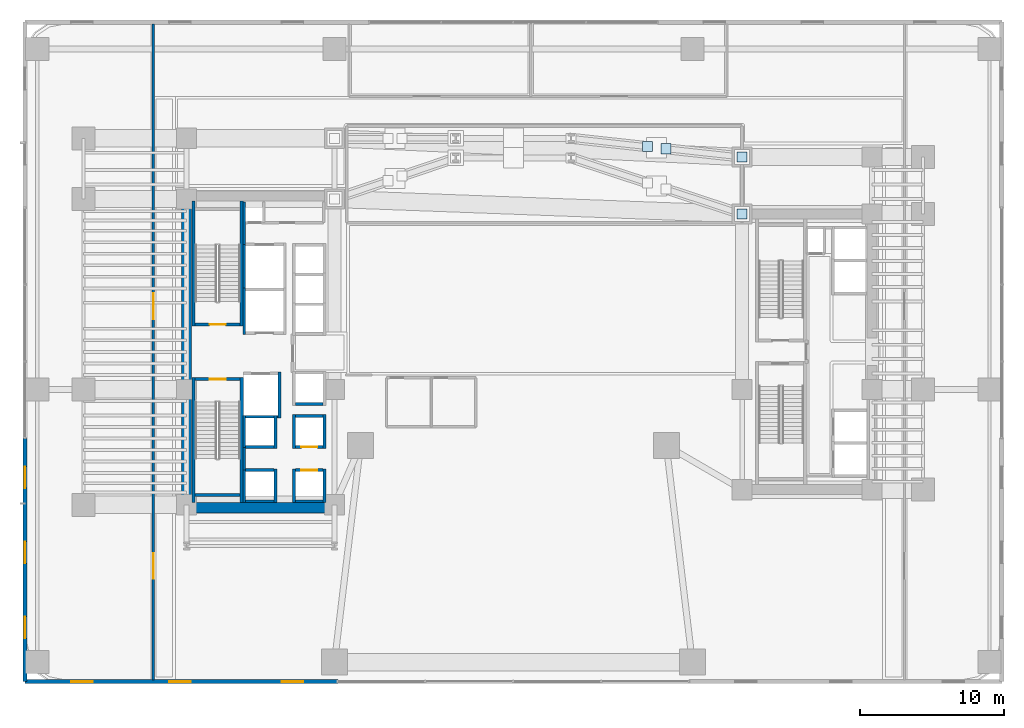
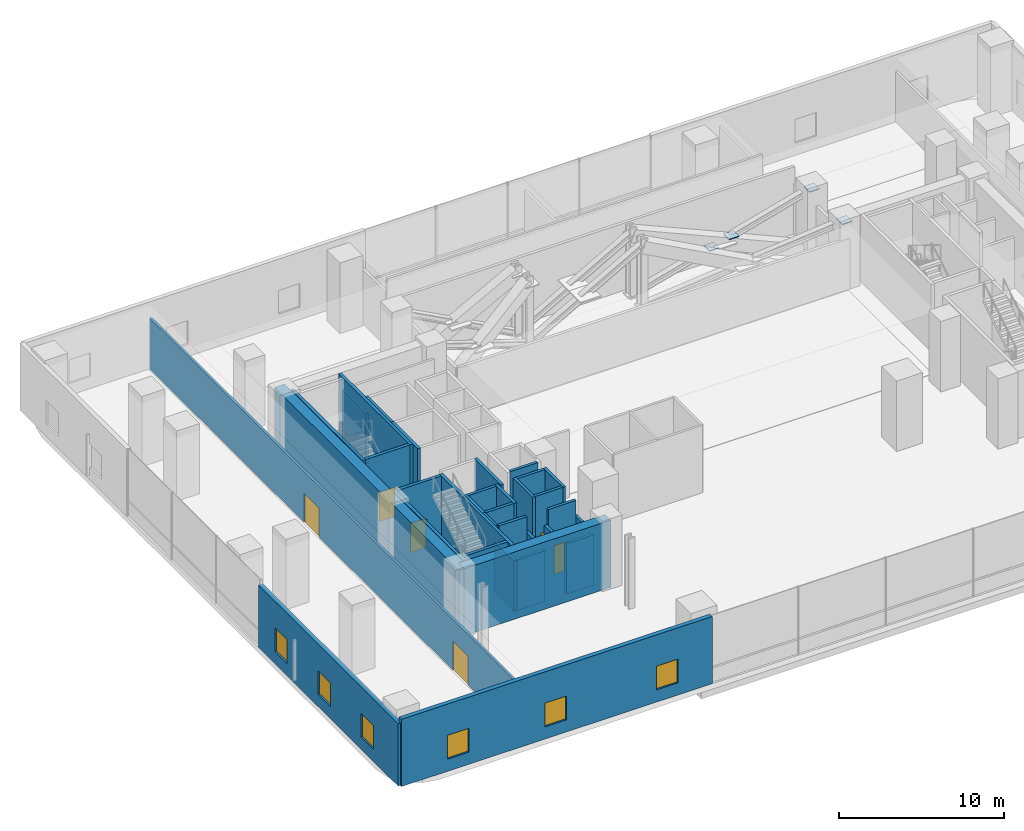
# One storey, part 26 of 41: 34 walls, 6 doors, 6 windows, 4 plates, 12 openings.
"""IFC4 building model written with IfcOpenShell, lengths in metres."""

from ifc_helpers import new_model, si_unit, direction, frame, frame_2d, origin, origin_2d, place, context, subcontext, project, spatial, rectangle, extrude, source, transform, mapped, material, layer, layer_set, type_object, element, fill, save


model = new_model("IFC4")

# Units and contexts
model_context = context("Model", 3, precision=1e-05, world=origin(), true_north=direction((0.0, 1.0)))
body_context = subcontext(model_context, "Body", "Model", "MODEL_VIEW")
ifc_project = project(units=[si_unit("LENGTHUNIT", "METRE"), si_unit("AREAUNIT", "SQUARE_METRE"), si_unit("VOLUMEUNIT", "CUBIC_METRE"), si_unit("PLANEANGLEUNIT", "RADIAN"), si_unit("MASSUNIT", "GRAM", prefix="KILO")], contexts=[model_context])

# Site, building, storey
site_placement = place(None, origin())
site = spatial("IfcSite", under=ifc_project, at=site_placement, CompositionType="ELEMENT")
building_placement = place(site_placement, origin())
building = spatial("IfcBuilding", under=site, at=building_placement, Name="Valdorenza Pilgrim Sanctuary Tower", CompositionType="ELEMENT")
storey_placement = place(building_placement, frame((0.0, 0.0, 20.800048828125)))
storey = spatial("IfcBuildingStorey", under=building, at=storey_placement, Name="L04", CompositionType="ELEMENT", Elevation=20.800048828125)

# Plates
ifc_material_1 = material(Name="Steel ASTM A572 Grade 42", Category="steel")
ifc_layer_1 = layer(ifc_material_1, 0.06005859375, Name="Steel ASTM A572 Grade 42")
ifc_layer_set_1 = layer_set([ifc_layer_1], Name="Steel ASTM A572 Grade 42")
plate_type = type_object("IfcPlateType", Name="PLT-CAP-60", PredefinedType="SHEET", material=ifc_layer_set_1)
shared_shape = source(origin(), body_context, "Body", "SweptSolid", [
    extrude(rectangle(XDim=0.699951171875, YDim=0.699951171875, at=origin_2d()), origin(), (0.0, 0.0, 1.0), 0.06005859375),
])
for number, where, z_axis, x_axis, name in (
    (1, (15.85009765625, 9.550048828125, 4.619873046875), (0.0, 0.0, 1.0), (1.0, 0.0, 0.0), "L04 Transfer Counter-Diagonal E1 Lower Segment End Connection Plate 1"),
    (2, (15.85009765625, 13.5, 4.619873046875), (0.0, 0.0, 1.0), (1.0, 0.0, 0.0), "L04 Transfer Counter-Diagonal E2 Lower Segment End Connection Plate 1"),
    (3, (10.569580078125, 14.079345703125, 2.614501953125), (0.0, 0.0, 1.0), (1.0, 0.0, 0.0), "L04 Transfer Counter-Diagonal E2 Lower Segment End Connection Plate 2"),
    (4, (9.280517578125, 14.220703125, 2.125244140625), (0.0, 0.0, 1.0), (1.0, 0.0, 0.0), "L04 Transfer Counter-Diagonal E2 Upper Segment End Connection Plate 1"),
):
    element("IfcPlate", number, at=place(storey_placement, frame(where, z_axis=z_axis, x_axis=x_axis)), inside=storey, type_object=plate_type, Name=name, PredefinedType="SHEET", context=body_context, shape_type="MappedRepresentation", body=[
        mapped(shared_shape, transform((0.0, 0.0, 0.0), x_axis=(1.0, 0.0, 0.0), y_axis=(0.0, 1.0, 0.0), z_axis=(0.0, 0.0, 1.0), scale=1.0)),
    ])

# Walls
ifc_material_2 = material(Name="Acoustic twin-stud gypsum partition", Category="gypsum")
ifc_layer_2 = layer(ifc_material_2, 0.159912109375, Name="Acoustic twin-stud gypsum partition")
ifc_layer_set_2 = layer_set([ifc_layer_2], Name="Acoustic twin-stud gypsum partition")
wall_type_1 = type_object("IfcWallType", Name="WAL-COR-160", PredefinedType="PARTITIONING", material=ifc_layer_set_2)
wall_1_placement = place(storey_placement, frame((-18.64990234375, 7.449951171875, 0.0), z_axis=(0.0, 0.0, 1.0), x_axis=(0.0, 1.0, 0.0)))
element("IfcWall", 5, at=wall_1_placement, inside=storey, type_object=wall_type_1, Name="L04 Core A North Service West Wall", PredefinedType="PARTITIONING", context=body_context, shape_type="SweptSolid", body=[
    extrude(rectangle(XDim=2.929931640625, YDim=0.159912109375, at=frame_2d((1.46484375, 0.0))), origin(), (0.0, 0.0, 1.0), 3.744873046875),
])
wall_2_placement = place(storey_placement, frame((-18.64990234375, -8.179931640625, 0.0), z_axis=(0.0, 0.0, 1.0), x_axis=(0.0, 1.0, 0.0)))
element("IfcWall", 6, at=wall_2_placement, inside=storey, type_object=wall_type_1, Name="L04 Core A South Lift Hall West Wall", PredefinedType="PARTITIONING", context=body_context, shape_type="SweptSolid", body=[
    extrude(rectangle(XDim=1.559814453125, YDim=0.159912109375, at=frame_2d((0.77978515625, 0.0))), origin(), (0.0, 0.0, 1.0), 4.9599609375),
])

# Wall, openings, doors
wall_3_placement = place(storey_placement, frame((-24.949951171875, -22.739990234375, 0.0), z_axis=(0.0, 0.0, 1.0), x_axis=(0.0, 1.0, 0.0)))
wall_3 = element("IfcWall", 7, at=wall_3_placement, inside=storey, type_object=wall_type_1, Name="L04 L04 West Hall Wall", PredefinedType="PARTITIONING", context=body_context, shape_type="SweptSolid", body=[
    extrude(rectangle(XDim=45.47998046875, YDim=0.159912109375, at=frame_2d((22.739990234375, 0.0))), origin(), (0.0, 0.0, 1.0), 3.744873046875),
])
opening_1_placement = place(wall_3_placement, frame((7.0, 0.0, 0.0)))
opening_1 = element("IfcOpeningElement", 8, at=opening_1_placement, cuts=wall_3, Name="Opening DR-HL1", PredefinedType="OPENING", context=body_context, shape_type="SweptSolid", body=[
    extrude(rectangle(XDim=1.800048828125, YDim=2.14990234375, at=frame_2d((0.89990234375, 1.074951171875))), frame((0.0, 0.0947265625, 0.0), z_axis=(0.0, -1.0, 0.0), x_axis=(1.0, 0.0, 0.0)), (0.0, 0.0, 1.0), 0.189697265625),
])
opening_2_placement = place(wall_3_placement, frame((25.0, 0.0, 0.0)))
opening_2 = element("IfcOpeningElement", 9, at=opening_2_placement, cuts=wall_3, Name="Opening DR-HL1", PredefinedType="OPENING", context=body_context, shape_type="SweptSolid", body=[
    extrude(rectangle(XDim=1.800048828125, YDim=2.14990234375, at=frame_2d((0.89990234375, 1.074951171875))), frame((0.0, 0.0947265625, 0.0), z_axis=(0.0, -1.0, 0.0), x_axis=(1.0, 0.0, 0.0)), (0.0, 0.0, 1.0), 0.189697265625),
])
ifc_material_3 = material(Name="Acoustic oak and vision-glass double door", Category="glass")
door_type_1 = type_object("IfcDoorType", Name="DR-HALL-1800", OperationType="NOTDEFINED", PredefinedType="DOOR", material=ifc_material_3)
door_1_placement = place(opening_1_placement, frame((1.800048828125, 0.0, 0.0), z_axis=(0.0, 0.0, 1.0), x_axis=(-1.0, 0.0, 0.0)))
door_1 = element("IfcDoor", 10, at=door_1_placement, inside=storey, type_object=door_type_1, Name="L04 Pilgrim Wellness Fitness Studio South Double Door", OperationType="DOUBLE_DOOR_SINGLE_SWING", OverallHeight=2.14990234375, OverallWidth=1.800048828125, PredefinedType="DOOR", context=body_context, shape_type="SweptSolid", body=[
    extrude(rectangle(XDim=1.800048828125, YDim=2.14990234375, at=frame_2d((0.89990234375, 1.074951171875))), frame((0.0, 0.02490234375, 0.0), z_axis=(0.0, -1.0, 0.0), x_axis=(1.0, 0.0, 0.0)), (0.0, 0.0, 1.0), 0.050048828125),
])
fill(opening_1, door_1)
door_2_placement = place(opening_2_placement, origin())
door_2 = element("IfcDoor", 11, at=door_2_placement, inside=storey, type_object=door_type_1, Name="L04 Pilgrim Wellness Fitness Studio North Double Door", OperationType="DOUBLE_DOOR_SINGLE_SWING", OverallHeight=2.14990234375, OverallWidth=1.800048828125, PredefinedType="DOOR", context=body_context, shape_type="SweptSolid", body=[
    extrude(rectangle(XDim=1.800048828125, YDim=2.14990234375, at=frame_2d((0.89990234375, 1.074951171875))), frame((0.0, 0.02490234375, 0.0), z_axis=(0.0, -1.0, 0.0), x_axis=(1.0, 0.0, 0.0)), (0.0, 0.0, 1.0), 0.050048828125),
])
fill(opening_2, door_2)

# Walls
ifc_material_4 = material(Name="Concrete C60/75", Category="concrete")
ifc_layer_3 = layer(ifc_material_4, 0.699951171875, Name="Concrete C60/75")
ifc_layer_set_3 = layer_set([ifc_layer_3], Name="Concrete C60/75")
wall_type_2 = type_object("IfcWallType", Name="WAL-COR-700", PredefinedType="SHEAR", material=ifc_layer_set_3)
wall_4_placement = place(storey_placement, frame((-22.64990234375, -11.14990234375, 0.0), z_axis=(0.0, 0.0, 1.0), x_axis=(0.0, 1.0, 0.0)))
element("IfcWall", 12, at=wall_4_placement, inside=storey, type_object=wall_type_2, Name="L04 Split Core A Shear Wall W", PredefinedType="SHEAR", context=body_context, shape_type="SweptSolid", body=[
    extrude(rectangle(XDim=22.2998046875, YDim=0.699951171875, at=frame_2d((11.14990234375, 0.0))), origin(), (0.0, 0.0, 1.0), 4.9599609375),
])
wall_5_placement = place(storey_placement, frame((-22.64990234375, -10.800048828125, 0.0), z_axis=(0.0, 0.0, 1.0), x_axis=(1.0, 0.0, 0.0)))
element("IfcWall", 13, at=wall_5_placement, inside=storey, type_object=wall_type_2, Name="L04 Split Core A Shear Wall S", PredefinedType="SHEAR", context=body_context, shape_type="SweptSolid", body=[
    extrude(rectangle(XDim=10.25, YDim=0.699951171875, at=frame_2d((5.125, 0.0))), origin(), (0.0, 0.0, 1.0), 4.9599609375),
])

# Wall, openings, windows
ifc_material_5 = material(Name="Honed travertine limestone", Category="masonry")
ifc_layer_4 = layer(ifc_material_5, 0.300048828125, Name="Honed travertine limestone")
ifc_layer_set_4 = layer_set([ifc_layer_4], Name="Honed travertine limestone")
wall_type_3 = type_object("IfcWallType", Name="WAL-EXT-300", PredefinedType="SOLIDWALL", material=ifc_layer_set_4)
wall_6_placement = place(storey_placement, frame((-33.85009765625, -22.85009765625, 0.0), z_axis=(0.0, 0.0, 1.0), x_axis=(0.0, 1.0, 0.0)))
wall_6 = element("IfcWall", 14, at=wall_6_placement, inside=storey, type_object=wall_type_3, Name="L04 Podium Honed Travertine Stone Wall W-S", PredefinedType="SOLIDWALL", context=body_context, shape_type="SweptSolid", body=[
    extrude(rectangle(XDim=16.8701171875, YDim=0.300048828125, at=frame_2d((8.43505859375, 0.0))), origin(), (0.0, 0.0, 1.0), 4.593994140625),
])
opening_3_placement = place(wall_6_placement, frame((3.0, 0.0, 0.89990234375)))
opening_3 = element("IfcOpeningElement", 15, at=opening_3_placement, cuts=wall_6, Name="Opening WN-VS1", PredefinedType="OPENING", context=body_context, shape_type="SweptSolid", body=[
    extrude(rectangle(XDim=1.5, YDim=1.75, at=frame_2d((0.75, 0.875))), frame((0.0, 0.1650390625, 0.0), z_axis=(0.0, -1.0, 0.0), x_axis=(1.0, 0.0, 0.0)), (0.0, 0.0, 1.0), 0.329833984375),
])
opening_4_placement = place(wall_6_placement, frame((8.199951171875, 0.0, 0.89990234375)))
opening_4 = element("IfcOpeningElement", 16, at=opening_4_placement, cuts=wall_6, Name="Opening WN-VS1", PredefinedType="OPENING", context=body_context, shape_type="SweptSolid", body=[
    extrude(rectangle(XDim=1.5, YDim=1.75, at=frame_2d((0.75, 0.875))), frame((0.0, 0.1650390625, 0.0), z_axis=(0.0, -1.0, 0.0), x_axis=(1.0, 0.0, 0.0)), (0.0, 0.0, 1.0), 0.329833984375),
])
opening_5_placement = place(wall_6_placement, frame((13.39990234375, 0.0, 0.89990234375)))
opening_5 = element("IfcOpeningElement", 17, at=opening_5_placement, cuts=wall_6, Name="Opening WN-VS1", PredefinedType="OPENING", context=body_context, shape_type="SweptSolid", body=[
    extrude(rectangle(XDim=1.5, YDim=1.75, at=frame_2d((0.75, 0.875))), frame((0.0, 0.1650390625, 0.0), z_axis=(0.0, -1.0, 0.0), x_axis=(1.0, 0.0, 0.0)), (0.0, 0.0, 1.0), 0.329833984375),
])
ifc_material_6 = material(Name="Ceramic-fritted low-E IGU glazing", Category="glass")
window_type = type_object("IfcWindowType", Name="WIN-VIS-1500", PartitioningType="SINGLE_PANEL", PredefinedType="WINDOW", material=ifc_material_6)
window_1_placement = place(opening_3_placement, origin())
window_1 = element("IfcWindow", 18, at=window_1_placement, inside=storey, type_object=window_type, Name="L04 Podium Stone Vision Window W-S-1", OverallHeight=1.75, OverallWidth=1.5, PartitioningType="SINGLE_PANEL", PredefinedType="WINDOW", context=body_context, shape_type="SweptSolid", body=[
    extrude(rectangle(XDim=1.5, YDim=1.75, at=frame_2d((0.75, 0.875))), frame((0.0, 0.030029296875, 0.0), z_axis=(0.0, -1.0, 0.0), x_axis=(1.0, 0.0, 0.0)), (0.0, 0.0, 1.0), 0.06005859375),
])
fill(opening_3, window_1)
window_2_placement = place(opening_4_placement, origin())
window_2 = element("IfcWindow", 19, at=window_2_placement, inside=storey, type_object=window_type, Name="L04 Podium Stone Vision Window W-S-2", OverallHeight=1.75, OverallWidth=1.5, PartitioningType="SINGLE_PANEL", PredefinedType="WINDOW", context=body_context, shape_type="SweptSolid", body=[
    extrude(rectangle(XDim=1.5, YDim=1.75, at=frame_2d((0.75, 0.875))), frame((0.0, 0.030029296875, 0.0), z_axis=(0.0, -1.0, 0.0), x_axis=(1.0, 0.0, 0.0)), (0.0, 0.0, 1.0), 0.06005859375),
])
fill(opening_4, window_2)
window_3_placement = place(opening_5_placement, origin())
window_3 = element("IfcWindow", 20, at=window_3_placement, inside=storey, type_object=window_type, Name="L04 Podium Stone Vision Window W-S-3", OverallHeight=1.75, OverallWidth=1.5, PartitioningType="SINGLE_PANEL", PredefinedType="WINDOW", context=body_context, shape_type="SweptSolid", body=[
    extrude(rectangle(XDim=1.5, YDim=1.75, at=frame_2d((0.75, 0.875))), frame((0.0, 0.030029296875, 0.0), z_axis=(0.0, -1.0, 0.0), x_axis=(1.0, 0.0, 0.0)), (0.0, 0.0, 1.0), 0.06005859375),
])
fill(opening_5, window_3)

wall_7_placement = place(storey_placement, frame((-33.85009765625, -22.85009765625, 0.0), z_axis=(0.0, 0.0, 1.0), x_axis=(1.0, 0.0, 0.0)))
wall_7 = element("IfcWall", 21, at=wall_7_placement, inside=storey, type_object=wall_type_3, Name="L04 Podium Honed Travertine Stone Wall S-W", PredefinedType="SOLIDWALL", context=body_context, shape_type="SweptSolid", body=[
    extrude(rectangle(XDim=21.690185546875, YDim=0.300048828125, at=frame_2d((10.84521484375, 0.0))), origin(), (0.0, 0.0, 1.0), 4.9599609375),
])
opening_6_placement = place(wall_7_placement, frame((3.199951171875, 0.0, 0.89990234375)))
opening_6 = element("IfcOpeningElement", 22, at=opening_6_placement, cuts=wall_7, Name="Opening WN-VS1", PredefinedType="OPENING", context=body_context, shape_type="SweptSolid", body=[
    extrude(rectangle(XDim=1.5, YDim=1.75, at=frame_2d((0.75, 0.875))), frame((0.0, 0.1650390625, 0.0), z_axis=(0.0, -1.0, 0.0), x_axis=(1.0, 0.0, 0.0)), (0.0, 0.0, 1.0), 0.329833984375),
])
opening_7_placement = place(wall_7_placement, frame((10.0, 0.0, 0.89990234375)))
opening_7 = element("IfcOpeningElement", 23, at=opening_7_placement, cuts=wall_7, Name="Opening WN-VS1", PredefinedType="OPENING", context=body_context, shape_type="SweptSolid", body=[
    extrude(rectangle(XDim=1.5, YDim=1.75, at=frame_2d((0.75, 0.875))), frame((0.0, 0.1650390625, 0.0), z_axis=(0.0, -1.0, 0.0), x_axis=(1.0, 0.0, 0.0)), (0.0, 0.0, 1.0), 0.329833984375),
])
opening_8_placement = place(wall_7_placement, frame((17.800048828125, 0.0, 0.89990234375)))
opening_8 = element("IfcOpeningElement", 24, at=opening_8_placement, cuts=wall_7, Name="Opening WN-VS1", PredefinedType="OPENING", context=body_context, shape_type="SweptSolid", body=[
    extrude(rectangle(XDim=1.5, YDim=1.75, at=frame_2d((0.75, 0.875))), frame((0.0, 0.1650390625, 0.0), z_axis=(0.0, -1.0, 0.0), x_axis=(1.0, 0.0, 0.0)), (0.0, 0.0, 1.0), 0.329833984375),
])
window_4_placement = place(opening_6_placement, origin())
window_4 = element("IfcWindow", 25, at=window_4_placement, inside=storey, type_object=window_type, Name="L04 Podium Stone Vision Window S-W-1", OverallHeight=1.75, OverallWidth=1.5, PartitioningType="SINGLE_PANEL", PredefinedType="WINDOW", context=body_context, shape_type="SweptSolid", body=[
    extrude(rectangle(XDim=1.5, YDim=1.75, at=frame_2d((0.75, 0.875))), frame((0.0, 0.030029296875, 0.0), z_axis=(0.0, -1.0, 0.0), x_axis=(1.0, 0.0, 0.0)), (0.0, 0.0, 1.0), 0.06005859375),
])
fill(opening_6, window_4)
window_5_placement = place(opening_7_placement, origin())
window_5 = element("IfcWindow", 26, at=window_5_placement, inside=storey, type_object=window_type, Name="L04 Podium Stone Vision Window S-W-2", OverallHeight=1.75, OverallWidth=1.5, PartitioningType="SINGLE_PANEL", PredefinedType="WINDOW", context=body_context, shape_type="SweptSolid", body=[
    extrude(rectangle(XDim=1.5, YDim=1.75, at=frame_2d((0.75, 0.875))), frame((0.0, 0.030029296875, 0.0), z_axis=(0.0, -1.0, 0.0), x_axis=(1.0, 0.0, 0.0)), (0.0, 0.0, 1.0), 0.06005859375),
])
fill(opening_7, window_5)
window_6_placement = place(opening_8_placement, origin())
window_6 = element("IfcWindow", 27, at=window_6_placement, inside=storey, type_object=window_type, Name="L04 Podium Stone Vision Window S-W-3", OverallHeight=1.75, OverallWidth=1.5, PartitioningType="SINGLE_PANEL", PredefinedType="WINDOW", context=body_context, shape_type="SweptSolid", body=[
    extrude(rectangle(XDim=1.5, YDim=1.75, at=frame_2d((0.75, 0.875))), frame((0.0, 0.030029296875, 0.0), z_axis=(0.0, -1.0, 0.0), x_axis=(1.0, 0.0, 0.0)), (0.0, 0.0, 1.0), 0.06005859375),
])
fill(opening_8, window_6)

# Walls
ifc_material_7 = material(Name="Autoclaved aerated concrete blockwork", Category="masonry")
ifc_layer_5 = layer(ifc_material_7, 0.199951171875, Name="Autoclaved aerated concrete blockwork")
ifc_layer_set_5 = layer_set([ifc_layer_5], Name="Autoclaved aerated concrete blockwork")
wall_type_4 = type_object("IfcWallType", Name="WAL-SHF-200", PredefinedType="MOVABLE", material=ifc_layer_set_5)
wall_8_placement = place(storey_placement, frame((-18.64990234375, 1.199951171875, 0.0), z_axis=(0.0, 0.0, 1.0), x_axis=(0.0, 1.0, 0.0)))
element("IfcWall", 28, at=wall_8_placement, inside=storey, type_object=wall_type_4, Name="L04 Lift FFL-01 Hoistway Wall West", PredefinedType="MOVABLE", context=body_context, shape_type="SweptSolid", body=[
    extrude(rectangle(XDim=3.22509765625, YDim=0.199951171875, at=frame_2d((1.612548828125, 0.0))), origin(), (0.0, 0.0, 1.0), 4.9599609375),
])
wall_9_placement = place(storey_placement, frame((-16.199951171875, -4.60009765625, 0.0), z_axis=(0.0, 0.0, 1.0), x_axis=(0.0, 1.0, 0.0)))
element("IfcWall", 29, at=wall_9_placement, inside=storey, type_object=wall_type_4, Name="L04 Lift FFL-02 Hoistway Wall East", PredefinedType="MOVABLE", context=body_context, shape_type="SweptSolid", body=[
    extrude(rectangle(XDim=3.2001953125, YDim=0.199951171875, at=frame_2d((1.60009765625, 0.0))), origin(), (0.0, 0.0, 1.0), 4.9599609375),
])
wall_10_placement = place(storey_placement, frame((-18.719970703125, -4.5, 0.0), z_axis=(0.0, 0.0, 1.0), x_axis=(1.0, 0.0, 0.0)))
element("IfcWall", 30, at=wall_10_placement, inside=storey, type_object=wall_type_4, Name="L04 Lift FFL-02 Hoistway Wall South", PredefinedType="MOVABLE", context=body_context, shape_type="SweptSolid", body=[
    extrude(rectangle(XDim=2.419921875, YDim=0.199951171875, at=frame_2d((1.2099609375, 0.0))), origin(), (0.0, 0.0, 1.0), 4.9599609375),
])
wall_11_placement = place(storey_placement, frame((-18.64990234375, 4.22509765625, 0.0), z_axis=(0.0, 0.0, 1.0), x_axis=(0.0, 1.0, 0.0)))
element("IfcWall", 31, at=wall_11_placement, inside=storey, type_object=wall_type_4, Name="L04 Lift SVL-01 Hoistway Wall West", PredefinedType="MOVABLE", context=body_context, shape_type="SweptSolid", body=[
    extrude(rectangle(XDim=3.324951171875, YDim=0.199951171875, at=frame_2d((1.66259765625, 0.0))), origin(), (0.0, 0.0, 1.0), 4.9599609375),
])
for number, where, z_axis, x_axis, name in (
    (32, (-15.199951171875, -10.449951171875, 0.0), (0.0, 0.0, 1.0), (0.0, 1.0, 0.0), "L04 Lift PL-01 Hoistway Wall West"),
    (33, (-13.080078125, -10.449951171875, 0.0), (0.0, 0.0, 1.0), (0.0, 1.0, 0.0), "L04 Lift PL-01 Hoistway Wall East"),
):
    element("IfcWall", number, at=place(storey_placement, frame(where, z_axis=z_axis, x_axis=x_axis)), inside=storey, type_object=wall_type_4, Name=name, PredefinedType="MOVABLE", context=body_context, shape_type="SweptSolid", body=[
        extrude(rectangle(XDim=2.349853515625, YDim=0.199951171875, at=frame_2d((1.1748046875, 0.0))), origin(), (0.0, 0.0, 1.0), 3.744873046875),
    ])
wall_12_placement = place(storey_placement, frame((-15.10009765625, -10.35009765625, 0.0), z_axis=(0.0, 0.0, 1.0), x_axis=(1.0, 0.0, 0.0)))
element("IfcWall", 34, at=wall_12_placement, inside=storey, type_object=wall_type_4, Name="L04 Lift PL-01 Hoistway Wall South", PredefinedType="MOVABLE", context=body_context, shape_type="SweptSolid", body=[
    extrude(rectangle(XDim=1.920166015625, YDim=0.199951171875, at=frame_2d((0.9599609375, 0.0))), origin(), (0.0, 0.0, 1.0), 3.744873046875),
])

# Wall, opening, door
wall_13_placement = place(storey_placement, frame((-15.10009765625, -8.199951171875, 0.0), z_axis=(0.0, 0.0, 1.0), x_axis=(1.0, 0.0, 0.0)))
wall_13 = element("IfcWall", 35, at=wall_13_placement, inside=storey, type_object=wall_type_4, Name="L04 Lift PL-01 Hoistway Wall North", PredefinedType="MOVABLE", context=body_context, shape_type="SweptSolid", body=[
    extrude(rectangle(XDim=1.920166015625, YDim=0.199951171875, at=frame_2d((0.9599609375, 0.0))), origin(), (0.0, 0.0, 1.0), 4.9599609375),
])
opening_9_placement = place(wall_13_placement, frame((0.409912109375, 0.0, 0.0)))
opening_9 = element("IfcOpeningElement", 36, at=opening_9_placement, cuts=wall_13, Name="Opening LD-01", PredefinedType="OPENING", context=body_context, shape_type="SweptSolid", body=[
    extrude(rectangle(XDim=1.10009765625, YDim=2.10009765625, at=frame_2d((0.550048828125, 1.050048828125))), frame((0.0, 0.11474609375, 0.0), z_axis=(0.0, -1.0, 0.0), x_axis=(1.0, 0.0, 0.0)), (0.0, 0.0, 1.0), 0.229736328125),
])
ifc_material_8 = material(Name="Brushed stainless steel Grade 316", Category="steel")
door_type_2 = type_object("IfcDoorType", Name="DR-LFT-1100", OperationType="DOUBLE_DOOR_SLIDING", PredefinedType="DOOR", material=ifc_material_8)
door_3_placement = place(opening_9_placement, origin())
door_3 = element("IfcDoor", 37, at=door_3_placement, inside=storey, type_object=door_type_2, Name="L04 Lift PL-01 Sliding Landing Door", OperationType="DOUBLE_DOOR_SLIDING", OverallHeight=2.10009765625, OverallWidth=1.10009765625, PredefinedType="DOOR", context=body_context, shape_type="SweptSolid", body=[
    extrude(rectangle(XDim=1.10009765625, YDim=2.10009765625, at=frame_2d((0.550048828125, 1.050048828125))), frame((0.0, 0.02490234375, 0.0), z_axis=(0.0, -1.0, 0.0), x_axis=(1.0, 0.0, 0.0)), (0.0, 0.0, 1.0), 0.050048828125),
])
fill(opening_9, door_3)

# Walls
for number, where, z_axis, x_axis, name in (
    (38, (-15.199951171875, -6.699951171875, 0.0), (0.0, 0.0, 1.0), (0.0, 1.0, 0.0), "L04 Lift PL-02 Hoistway Wall West"),
    (39, (-13.080078125, -6.699951171875, 0.0), (0.0, 0.0, 1.0), (0.0, 1.0, 0.0), "L04 Lift PL-02 Hoistway Wall East"),
):
    element("IfcWall", number, at=place(storey_placement, frame(where, z_axis=z_axis, x_axis=x_axis)), inside=storey, type_object=wall_type_4, Name=name, PredefinedType="MOVABLE", context=body_context, shape_type="SweptSolid", body=[
        extrude(rectangle(XDim=2.349853515625, YDim=0.199951171875, at=frame_2d((1.1748046875, 0.0))), origin(), (0.0, 0.0, 1.0), 4.9599609375),
    ])

# Wall, opening, door
wall_14_placement = place(storey_placement, frame((-15.10009765625, -6.60009765625, 0.0), z_axis=(0.0, 0.0, 1.0), x_axis=(1.0, 0.0, 0.0)))
wall_14 = element("IfcWall", 40, at=wall_14_placement, inside=storey, type_object=wall_type_4, Name="L04 Lift PL-02 Hoistway Wall South", PredefinedType="MOVABLE", context=body_context, shape_type="SweptSolid", body=[
    extrude(rectangle(XDim=1.920166015625, YDim=0.199951171875, at=frame_2d((0.9599609375, 0.0))), origin(), (0.0, 0.0, 1.0), 4.9599609375),
])
opening_10_placement = place(wall_14_placement, frame((0.409912109375, 0.0, 0.0)))
opening_10 = element("IfcOpeningElement", 41, at=opening_10_placement, cuts=wall_14, Name="Opening LD-01", PredefinedType="OPENING", context=body_context, shape_type="SweptSolid", body=[
    extrude(rectangle(XDim=1.10009765625, YDim=2.10009765625, at=frame_2d((0.550048828125, 1.050048828125))), frame((0.0, 0.11474609375, 0.0), z_axis=(0.0, -1.0, 0.0), x_axis=(1.0, 0.0, 0.0)), (0.0, 0.0, 1.0), 0.229736328125),
])
door_4_placement = place(opening_10_placement, origin())
door_4 = element("IfcDoor", 42, at=door_4_placement, inside=storey, type_object=door_type_2, Name="L04 Lift PL-02 Sliding Landing Door", OperationType="DOUBLE_DOOR_SLIDING", OverallHeight=2.10009765625, OverallWidth=1.10009765625, PredefinedType="DOOR", context=body_context, shape_type="SweptSolid", body=[
    extrude(rectangle(XDim=1.10009765625, YDim=2.10009765625, at=frame_2d((0.550048828125, 1.050048828125))), frame((0.0, 0.02490234375, 0.0), z_axis=(0.0, -1.0, 0.0), x_axis=(1.0, 0.0, 0.0)), (0.0, 0.0, 1.0), 0.050048828125),
])
fill(opening_10, door_4)

# Walls
wall_15_placement = place(storey_placement, frame((-15.10009765625, -4.449951171875, 0.0), z_axis=(0.0, 0.0, 1.0), x_axis=(1.0, 0.0, 0.0)))
element("IfcWall", 43, at=wall_15_placement, inside=storey, type_object=wall_type_4, Name="L04 Lift PL-02 Hoistway Wall North", PredefinedType="MOVABLE", context=body_context, shape_type="SweptSolid", body=[
    extrude(rectangle(XDim=1.920166015625, YDim=0.199951171875, at=frame_2d((0.9599609375, 0.0))), origin(), (0.0, 0.0, 1.0), 4.9599609375),
])
for number, where, z_axis, x_axis, name in (
    (44, (-18.64990234375, -10.449951171875, 0.0), (0.0, 0.0, 1.0), (0.0, 1.0, 0.0), "L04 Lift PL-05 Hoistway Wall West"),
    (45, (-16.5, -10.449951171875, 0.0), (0.0, 0.0, 1.0), (0.0, 1.0, 0.0), "L04 Lift PL-05 Hoistway Wall East"),
):
    element("IfcWall", number, at=place(storey_placement, frame(where, z_axis=z_axis, x_axis=x_axis)), inside=storey, type_object=wall_type_4, Name=name, PredefinedType="MOVABLE", context=body_context, shape_type="SweptSolid", body=[
        extrude(rectangle(XDim=2.349853515625, YDim=0.199951171875, at=frame_2d((1.1748046875, 0.0))), origin(), (0.0, 0.0, 1.0), 3.744873046875),
    ])
wall_16_placement = place(storey_placement, frame((-18.550048828125, -10.35009765625, 0.0), z_axis=(0.0, 0.0, 1.0), x_axis=(1.0, 0.0, 0.0)))
element("IfcWall", 46, at=wall_16_placement, inside=storey, type_object=wall_type_4, Name="L04 Lift PL-05 Hoistway Wall South", PredefinedType="MOVABLE", context=body_context, shape_type="SweptSolid", body=[
    extrude(rectangle(XDim=1.949951171875, YDim=0.199951171875, at=frame_2d((0.97509765625, 0.0))), origin(), (0.0, 0.0, 1.0), 3.744873046875),
])
wall_17_placement = place(storey_placement, frame((-18.550048828125, -8.199951171875, 0.0), z_axis=(0.0, 0.0, 1.0), x_axis=(1.0, 0.0, 0.0)))
element("IfcWall", 47, at=wall_17_placement, inside=storey, type_object=wall_type_4, Name="L04 Lift PL-05 Hoistway Wall North", PredefinedType="MOVABLE", context=body_context, shape_type="SweptSolid", body=[
    extrude(rectangle(XDim=1.949951171875, YDim=0.199951171875, at=frame_2d((0.97509765625, 0.0))), origin(), (0.0, 0.0, 1.0), 4.9599609375),
])
for number, where, z_axis, x_axis, name in (
    (48, (-18.64990234375, -6.699951171875, 0.0), (0.0, 0.0, 1.0), (0.0, 1.0, 0.0), "L04 Lift PL-11 Hoistway Wall West"),
    (49, (-16.5, -6.699951171875, 0.0), (0.0, 0.0, 1.0), (0.0, 1.0, 0.0), "L04 Lift PL-11 Hoistway Wall East"),
):
    element("IfcWall", number, at=place(storey_placement, frame(where, z_axis=z_axis, x_axis=x_axis)), inside=storey, type_object=wall_type_4, Name=name, PredefinedType="MOVABLE", context=body_context, shape_type="SweptSolid", body=[
        extrude(rectangle(XDim=2.300048828125, YDim=0.199951171875, at=frame_2d((1.14990234375, 0.0))), origin(), (0.0, 0.0, 1.0), 4.9599609375),
    ])
wall_18_placement = place(storey_placement, frame((-18.550048828125, -6.60009765625, 0.0), z_axis=(0.0, 0.0, 1.0), x_axis=(1.0, 0.0, 0.0)))
element("IfcWall", 50, at=wall_18_placement, inside=storey, type_object=wall_type_4, Name="L04 Lift PL-11 Hoistway Wall South", PredefinedType="MOVABLE", context=body_context, shape_type="SweptSolid", body=[
    extrude(rectangle(XDim=1.949951171875, YDim=0.199951171875, at=frame_2d((0.97509765625, 0.0))), origin(), (0.0, 0.0, 1.0), 4.9599609375),
])
wall_19_placement = place(storey_placement, frame((-15.10009765625, -3.60009765625, 0.0), z_axis=(0.0, 0.0, 1.0), x_axis=(1.0, 0.0, 0.0)))
element("IfcWall", 51, at=wall_19_placement, inside=storey, type_object=wall_type_4, Name="L04 Lift PL-12 Hoistway Wall South", PredefinedType="MOVABLE", context=body_context, shape_type="SweptSolid", body=[
    extrude(rectangle(XDim=1.920166015625, YDim=0.199951171875, at=frame_2d((0.9599609375, 0.0))), origin(), (0.0, 0.0, 1.0), 4.9599609375),
])
ifc_material_9 = material(Name="Concrete C40/50", Category="concrete")
ifc_layer_6 = layer(ifc_material_9, 0.219970703125, Name="Concrete C40/50")
ifc_layer_set_6 = layer_set([ifc_layer_6], Name="Concrete C40/50")
wall_type_5 = type_object("IfcWallType", Name="WAL-STR-SHF-220", PredefinedType="SHEAR", material=ifc_layer_set_6)
for number, where, z_axis, x_axis, name in (
    (52, (-22.159912109375, 1.780029296875, 0.0), (0.0, 0.0, 1.0), (0.0, 1.0, 0.0), "L04 ST-A1 Structural Stairwell Wall W"),
    (53, (-18.830078125, 1.780029296875, 0.0), (0.0, 0.0, 1.0), (0.0, 1.0, 0.0), "L04 ST-A1 Structural Stairwell Wall E"),
):
    element("IfcWall", number, at=place(storey_placement, frame(where, z_axis=z_axis, x_axis=x_axis)), inside=storey, type_object=wall_type_5, Name=name, PredefinedType="SHEAR", context=body_context, shape_type="SweptSolid", body=[
        extrude(rectangle(XDim=8.669921875, YDim=0.219970703125, at=frame_2d((4.3349609375, 0.0))), origin(), (0.0, 0.0, 1.0), 4.9599609375),
    ])

# Wall, opening, door
wall_20_placement = place(storey_placement, frame((-22.050048828125, 1.889892578125, 0.0), z_axis=(0.0, 0.0, 1.0), x_axis=(1.0, 0.0, 0.0)))
wall_20 = element("IfcWall", 54, at=wall_20_placement, inside=storey, type_object=wall_type_5, Name="L04 ST-A1 Structural Stairwell Wall S", PredefinedType="SHEAR", context=body_context, shape_type="SweptSolid", body=[
    extrude(rectangle(XDim=3.110107421875, YDim=0.219970703125, at=frame_2d((1.55517578125, 0.0))), origin(), (0.0, 0.0, 1.0), 4.9599609375),
])
opening_11_placement = place(wall_20_placement, frame((1.0, 0.0, 0.0)))
opening_11 = element("IfcOpeningElement", 55, at=opening_11_placement, cuts=wall_20, Name="Opening DR-ST1", PredefinedType="OPENING", context=body_context, shape_type="SweptSolid", body=[
    extrude(rectangle(XDim=1.10009765625, YDim=2.14990234375, at=frame_2d((0.550048828125, 1.074951171875))), frame((0.0, 0.125, 0.0), z_axis=(0.0, -1.0, 0.0), x_axis=(1.0, 0.0, 0.0)), (0.0, 0.0, 1.0), 0.249755859375),
])
ifc_material_10 = material(Name="Painted galvanized steel", Category="steel")
door_type_3 = type_object("IfcDoorType", Name="DR-STAIR-1100", OperationType="NOTDEFINED", PredefinedType="DOOR", material=ifc_material_10)
door_5_placement = place(opening_11_placement, frame((1.10009765625, 0.0, 0.0), z_axis=(0.0, 0.0, 1.0), x_axis=(-1.0, 0.0, 0.0)))
door_5 = element("IfcDoor", 56, at=door_5_placement, inside=storey, type_object=door_type_3, Name="L04 Exit Stair ST-A1 Door", OperationType="SINGLE_SWING_LEFT", OverallHeight=2.14990234375, OverallWidth=1.10009765625, PredefinedType="DOOR", context=body_context, shape_type="SweptSolid", body=[
    extrude(rectangle(XDim=1.10009765625, YDim=2.14990234375, at=frame_2d((0.550048828125, 1.074951171875))), frame((0.0, 0.02490234375, 0.0), z_axis=(0.0, -1.0, 0.0), x_axis=(1.0, 0.0, 0.0)), (0.0, 0.0, 1.0), 0.050048828125),
])
fill(opening_11, door_5)

# Walls
for number, where, z_axis, x_axis, name in (
    (57, (-22.159912109375, -10.449951171875, 0.0), (0.0, 0.0, 1.0), (0.0, 1.0, 0.0), "L04 ST-A2 Structural Stairwell Wall W"),
    (58, (-18.830078125, -10.449951171875, 0.0), (0.0, 0.0, 1.0), (0.0, 1.0, 0.0), "L04 ST-A2 Structural Stairwell Wall E"),
):
    element("IfcWall", number, at=place(storey_placement, frame(where, z_axis=z_axis, x_axis=x_axis)), inside=storey, type_object=wall_type_5, Name=name, PredefinedType="SHEAR", context=body_context, shape_type="SweptSolid", body=[
        extrude(rectangle(XDim=8.669921875, YDim=0.219970703125, at=frame_2d((4.3349609375, 0.0))), origin(), (0.0, 0.0, 1.0), 4.9599609375),
    ])
wall_21_placement = place(storey_placement, frame((-22.050048828125, -9.909912109375, 0.0), z_axis=(0.0, 0.0, 1.0), x_axis=(1.0, 0.0, 0.0)))
element("IfcWall", 59, at=wall_21_placement, inside=storey, type_object=wall_type_5, Name="L04 ST-A2 Structural Stairwell Wall S", PredefinedType="SHEAR", context=body_context, shape_type="SweptSolid", body=[
    extrude(rectangle(XDim=3.110107421875, YDim=0.219970703125, at=frame_2d((1.55517578125, 0.0))), origin(), (0.0, 0.0, 1.0), 4.9599609375),
])

# Wall, opening, door
wall_22_placement = place(storey_placement, frame((-22.050048828125, -1.889892578125, 0.0), z_axis=(0.0, 0.0, 1.0), x_axis=(1.0, 0.0, 0.0)))
wall_22 = element("IfcWall", 60, at=wall_22_placement, inside=storey, type_object=wall_type_5, Name="L04 ST-A2 Structural Stairwell Wall N", PredefinedType="SHEAR", context=body_context, shape_type="SweptSolid", body=[
    extrude(rectangle(XDim=3.110107421875, YDim=0.219970703125, at=frame_2d((1.55517578125, 0.0))), origin(), (0.0, 0.0, 1.0), 4.9599609375),
])
opening_12_placement = place(wall_22_placement, frame((1.0, 0.0, 0.0)))
opening_12 = element("IfcOpeningElement", 61, at=opening_12_placement, cuts=wall_22, Name="Opening DR-ST1", PredefinedType="OPENING", context=body_context, shape_type="SweptSolid", body=[
    extrude(rectangle(XDim=1.10009765625, YDim=2.14990234375, at=frame_2d((0.550048828125, 1.074951171875))), frame((0.0, 0.125, 0.0), z_axis=(0.0, -1.0, 0.0), x_axis=(1.0, 0.0, 0.0)), (0.0, 0.0, 1.0), 0.249755859375),
])
door_6_placement = place(opening_12_placement, origin())
door_6 = element("IfcDoor", 62, at=door_6_placement, inside=storey, type_object=door_type_3, Name="L04 Exit Stair ST-A2 Door", OperationType="SINGLE_SWING_RIGHT", OverallHeight=2.14990234375, OverallWidth=1.10009765625, PredefinedType="DOOR", context=body_context, shape_type="SweptSolid", body=[
    extrude(rectangle(XDim=1.10009765625, YDim=2.14990234375, at=frame_2d((0.550048828125, 1.074951171875))), frame((0.0, 0.02490234375, 0.0), z_axis=(0.0, -1.0, 0.0), x_axis=(1.0, 0.0, 0.0)), (0.0, 0.0, 1.0), 0.050048828125),
])
fill(opening_12, door_6)

save(model, "model.ifc")
